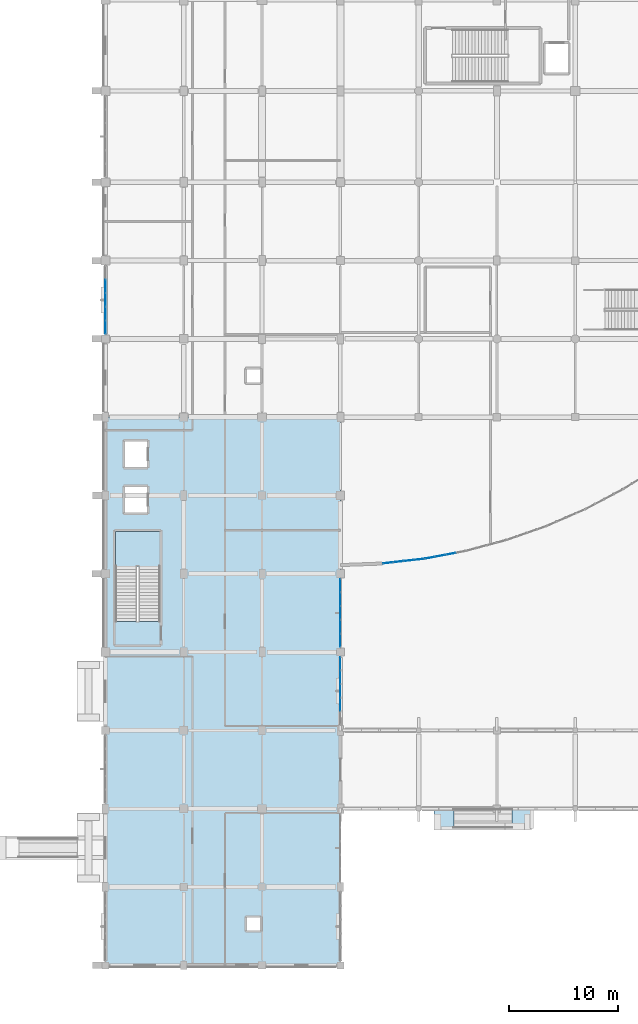
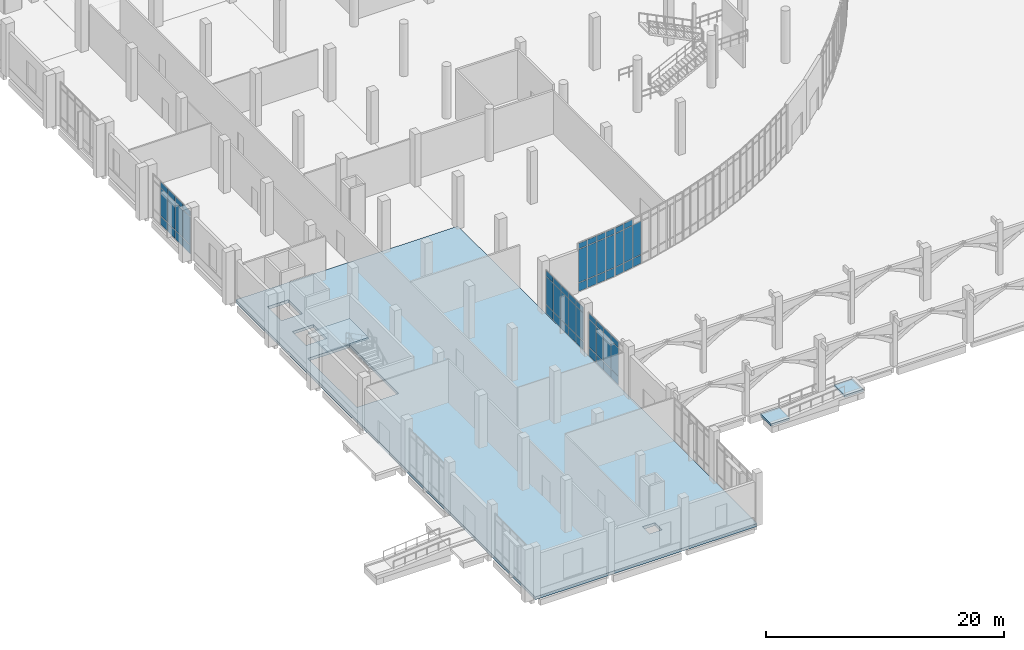
# One storey, part 75 of 110: 59 plates, 4 slabs, 7 elements without a shape of their own.
"""IFC4 building model written with IfcOpenShell, lengths in metres."""

from ifc_helpers import new_model, si_unit, direction, frame, origin, origin_2d, place, context, subcontext, project, spatial, polyline, rectangle, outline, extrude, material, layer, layer_set, type_object, element, aggregate, save


model = new_model("IFC4")

# Units and contexts
model_context = context("Model", 3, precision=1e-05, world=origin(), true_north=direction((0.0, 1.0)))
body_context = subcontext(model_context, "Body", "Model", "MODEL_VIEW")
ifc_project = project(units=[si_unit("LENGTHUNIT", "METRE"), si_unit("AREAUNIT", "SQUARE_METRE"), si_unit("VOLUMEUNIT", "CUBIC_METRE"), si_unit("PLANEANGLEUNIT", "RADIAN"), si_unit("MASSUNIT", "GRAM", prefix="KILO")], contexts=[model_context])

# Site, building, storey
site_placement = place(None, origin())
site = spatial("IfcSite", under=ifc_project, at=site_placement, CompositionType="ELEMENT")
building_placement = place(site_placement, origin())
building = spatial("IfcBuilding", under=site, at=building_placement, Name="Kalluvel Institute of Natural Sciences", CompositionType="ELEMENT")
storey_placement = place(building_placement, origin())
storey = spatial("IfcBuildingStorey", under=building, at=storey_placement, Name="L00", CompositionType="ELEMENT", Elevation=0.0)

# Curtain wall, plates
ifc_material_1 = material(Name="Aluminium AW-6063 T6", Category="aluminium")
curtain_wall_type_1 = type_object("IfcCurtainWallType", Name="CW-DRY-54", PredefinedType="USERDEFINED", material=ifc_material_1)
curtain_wall_1_placement = place(storey_placement, origin())
curtain_wall_1 = element("IfcCurtainWall", 1, at=curtain_wall_1_placement, inside=storey, type_object=curtain_wall_type_1, Name="L00 Gothic lancet curtain wall CWA-L00-X140-Y720", ObjectType="UNITISED LANCET FACADE", PredefinedType="USERDEFINED")
ifc_material_2 = material(Name="Solar-Control Low-E Laminated Glass", Category="glass")
ifc_layer_1 = layer(ifc_material_2, 0.028076171875)
ifc_layer_set_1 = layer_set([ifc_layer_1], Name="Solar-Control Low-E Laminated Glass")
plate_type_1 = type_object("IfcPlateType", Name="CWP-DGU-28", PredefinedType="CURTAIN_PANEL", material=ifc_layer_set_1)
plate_1_placement = place(storey_placement, frame((14.0, 72.672607421875, 0.06005859375), z_axis=(0.0, 0.0, 1.0), x_axis=(0.0, 1.0, 0.0)))
plate_1 = element("IfcPlate", 2, at=plate_1_placement, type_object=plate_type_1, Name="CW-04 panel 1.1", PredefinedType="CURTAIN_PANEL", context=body_context, shape_type="SweptSolid", body=[
    extrude(rectangle(XDim=1.175048828125, YDim=0.028076171875, at=origin_2d()), origin(), (0.0, 0.0, 1.0), 0.860107421875),
])
plate_2_placement = place(storey_placement, frame((14.0, 72.672607421875, 0.97998046875), z_axis=(0.0, 0.0, 1.0), x_axis=(0.0, 1.0, 0.0)))
plate_2 = element("IfcPlate", 3, at=plate_2_placement, type_object=plate_type_1, Name="CW-04 panel 1.2", PredefinedType="CURTAIN_PANEL", context=body_context, shape_type="SweptSolid", body=[
    extrude(rectangle(XDim=1.175048828125, YDim=0.028076171875, at=origin_2d()), origin(), (0.0, 0.0, 1.0), 2.860107421875),
])
plate_3_placement = place(storey_placement, frame((14.0, 72.672607421875, 3.89990234375), z_axis=(0.0, 0.0, 1.0), x_axis=(0.0, 1.0, 0.0)))
plate_3 = element("IfcPlate", 4, at=plate_3_placement, type_object=plate_type_1, Name="CW-04 panel 1.3", PredefinedType="CURTAIN_PANEL", context=body_context, shape_type="SweptSolid", body=[
    extrude(rectangle(XDim=1.175048828125, YDim=0.028076171875, at=origin_2d()), origin(), (0.0, 0.0, 1.0), 0.56005859375),
])
plate_4_placement = place(storey_placement, frame((14.0, 73.922607421875, 0.06005859375), z_axis=(0.0, 0.0, 1.0), x_axis=(0.0, 1.0, 0.0)))
plate_4 = element("IfcPlate", 5, at=plate_4_placement, type_object=plate_type_1, Name="CW-04 panel 2.1", PredefinedType="CURTAIN_PANEL", context=body_context, shape_type="SweptSolid", body=[
    extrude(rectangle(XDim=1.205078125, YDim=0.028076171875, at=origin_2d()), origin(), (0.0, 0.0, 1.0), 0.860107421875),
])
plate_5_placement = place(storey_placement, frame((14.0, 73.922607421875, 0.97998046875), z_axis=(0.0, 0.0, 1.0), x_axis=(0.0, 1.0, 0.0)))
plate_5 = element("IfcPlate", 6, at=plate_5_placement, type_object=plate_type_1, Name="CW-04 panel 2.2", PredefinedType="CURTAIN_PANEL", context=body_context, shape_type="SweptSolid", body=[
    extrude(rectangle(XDim=1.205078125, YDim=0.028076171875, at=origin_2d()), origin(), (0.0, 0.0, 1.0), 2.860107421875),
])
plate_6_placement = place(storey_placement, frame((14.0, 73.922607421875, 3.89990234375), z_axis=(0.0, 0.0, 1.0), x_axis=(0.0, 1.0, 0.0)))
plate_6 = element("IfcPlate", 7, at=plate_6_placement, type_object=plate_type_1, Name="CW-04 panel 2.3", PredefinedType="CURTAIN_PANEL", context=body_context, shape_type="SweptSolid", body=[
    extrude(rectangle(XDim=1.205078125, YDim=0.028076171875, at=origin_2d()), origin(), (0.0, 0.0, 1.0), 0.56005859375),
])
plate_7_placement = place(storey_placement, frame((14.0, 75.1875, 0.06005859375), z_axis=(0.0, 0.0, 1.0), x_axis=(0.0, 1.0, 0.0)))
plate_7 = element("IfcPlate", 8, at=plate_7_placement, type_object=plate_type_1, Name="CW-04 panel 3.1", PredefinedType="CURTAIN_PANEL", context=body_context, shape_type="SweptSolid", body=[
    extrude(rectangle(XDim=1.205078125, YDim=0.028076171875, at=origin_2d()), origin(), (0.0, 0.0, 1.0), 0.860107421875),
])
plate_8_placement = place(storey_placement, frame((14.0, 75.1875, 0.97998046875), z_axis=(0.0, 0.0, 1.0), x_axis=(0.0, 1.0, 0.0)))
plate_8 = element("IfcPlate", 9, at=plate_8_placement, type_object=plate_type_1, Name="CW-04 panel 3.2", PredefinedType="CURTAIN_PANEL", context=body_context, shape_type="SweptSolid", body=[
    extrude(rectangle(XDim=1.205078125, YDim=0.028076171875, at=origin_2d()), origin(), (0.0, 0.0, 1.0), 2.860107421875),
])
plate_9_placement = place(storey_placement, frame((14.0, 75.1875, 3.89990234375), z_axis=(0.0, 0.0, 1.0), x_axis=(0.0, 1.0, 0.0)))
plate_9 = element("IfcPlate", 10, at=plate_9_placement, type_object=plate_type_1, Name="CW-04 panel 3.3", PredefinedType="CURTAIN_PANEL", context=body_context, shape_type="SweptSolid", body=[
    extrude(rectangle(XDim=1.205078125, YDim=0.028076171875, at=origin_2d()), origin(), (0.0, 0.0, 1.0), 0.56005859375),
])
plate_10_placement = place(storey_placement, frame((14.0, 76.452392578125, 0.06005859375), z_axis=(0.0, 0.0, 1.0), x_axis=(0.0, 1.0, 0.0)))
plate_10 = element("IfcPlate", 11, at=plate_10_placement, type_object=plate_type_1, Name="CW-04 panel 4.1", PredefinedType="CURTAIN_PANEL", context=body_context, shape_type="SweptSolid", body=[
    extrude(rectangle(XDim=1.205078125, YDim=0.028076171875, at=origin_2d()), origin(), (0.0, 0.0, 1.0), 0.860107421875),
])
plate_11_placement = place(storey_placement, frame((14.0, 76.452392578125, 0.97998046875), z_axis=(0.0, 0.0, 1.0), x_axis=(0.0, 1.0, 0.0)))
plate_11 = element("IfcPlate", 12, at=plate_11_placement, type_object=plate_type_1, Name="CW-04 panel 4.2", PredefinedType="CURTAIN_PANEL", context=body_context, shape_type="SweptSolid", body=[
    extrude(rectangle(XDim=1.205078125, YDim=0.028076171875, at=origin_2d()), origin(), (0.0, 0.0, 1.0), 2.860107421875),
])
plate_12_placement = place(storey_placement, frame((14.0, 76.452392578125, 3.89990234375), z_axis=(0.0, 0.0, 1.0), x_axis=(0.0, 1.0, 0.0)))
plate_12 = element("IfcPlate", 13, at=plate_12_placement, type_object=plate_type_1, Name="CW-04 panel 4.3", PredefinedType="CURTAIN_PANEL", context=body_context, shape_type="SweptSolid", body=[
    extrude(rectangle(XDim=1.205078125, YDim=0.028076171875, at=origin_2d()), origin(), (0.0, 0.0, 1.0), 0.56005859375),
])
aggregate(curtain_wall_1, [plate_1, plate_2, plate_3, plate_4, plate_5, plate_6, plate_7, plate_8, plate_9, plate_10, plate_11, plate_12])

curtain_wall_2_placement = place(storey_placement, origin())
curtain_wall_2 = element("IfcCurtainWall", 14, at=curtain_wall_2_placement, inside=storey, type_object=curtain_wall_type_1, Name="L00 Gothic lancet curtain wall CWA-L00-X356-Y361", ObjectType="UNITISED LANCET FACADE", PredefinedType="USERDEFINED")
plate_13_placement = place(storey_placement, frame((35.60009765625, 37.982421875, 0.06005859375), z_axis=(0.0, 0.0, 1.0), x_axis=(0.0, 1.0, 0.0)))
plate_13 = element("IfcPlate", 15, at=plate_13_placement, type_object=plate_type_1, Name="CW-04 panel 2.1", PredefinedType="CURTAIN_PANEL", context=body_context, shape_type="SweptSolid", body=[
    extrude(rectangle(XDim=1.195068359375, YDim=0.028076171875, at=origin_2d()), origin(), (0.0, 0.0, 1.0), 0.860107421875),
])
plate_14_placement = place(storey_placement, frame((35.60009765625, 37.982421875, 0.97998046875), z_axis=(0.0, 0.0, 1.0), x_axis=(0.0, 1.0, 0.0)))
plate_14 = element("IfcPlate", 16, at=plate_14_placement, type_object=plate_type_1, Name="CW-04 panel 2.2", PredefinedType="CURTAIN_PANEL", context=body_context, shape_type="SweptSolid", body=[
    extrude(rectangle(XDim=1.195068359375, YDim=0.028076171875, at=origin_2d()), origin(), (0.0, 0.0, 1.0), 2.860107421875),
])
plate_15_placement = place(storey_placement, frame((35.60009765625, 37.982421875, 3.89990234375), z_axis=(0.0, 0.0, 1.0), x_axis=(0.0, 1.0, 0.0)))
plate_15 = element("IfcPlate", 17, at=plate_15_placement, type_object=plate_type_1, Name="CW-04 panel 2.3", PredefinedType="CURTAIN_PANEL", context=body_context, shape_type="SweptSolid", body=[
    extrude(rectangle(XDim=1.195068359375, YDim=0.028076171875, at=origin_2d()), origin(), (0.0, 0.0, 1.0), 0.56005859375),
])
plate_16_placement = place(storey_placement, frame((35.60009765625, 39.237548828125, 0.06005859375), z_axis=(0.0, 0.0, 1.0), x_axis=(0.0, 1.0, 0.0)))
plate_16 = element("IfcPlate", 18, at=plate_16_placement, type_object=plate_type_1, Name="CW-04 panel 3.1", PredefinedType="CURTAIN_PANEL", context=body_context, shape_type="SweptSolid", body=[
    extrude(rectangle(XDim=1.195068359375, YDim=0.028076171875, at=origin_2d()), origin(), (0.0, 0.0, 1.0), 0.860107421875),
])
plate_17_placement = place(storey_placement, frame((35.60009765625, 39.237548828125, 0.97998046875), z_axis=(0.0, 0.0, 1.0), x_axis=(0.0, 1.0, 0.0)))
plate_17 = element("IfcPlate", 19, at=plate_17_placement, type_object=plate_type_1, Name="CW-04 panel 3.2", PredefinedType="CURTAIN_PANEL", context=body_context, shape_type="SweptSolid", body=[
    extrude(rectangle(XDim=1.195068359375, YDim=0.028076171875, at=origin_2d()), origin(), (0.0, 0.0, 1.0), 2.860107421875),
])
plate_18_placement = place(storey_placement, frame((35.60009765625, 39.237548828125, 3.89990234375), z_axis=(0.0, 0.0, 1.0), x_axis=(0.0, 1.0, 0.0)))
plate_18 = element("IfcPlate", 20, at=plate_18_placement, type_object=plate_type_1, Name="CW-04 panel 3.3", PredefinedType="CURTAIN_PANEL", context=body_context, shape_type="SweptSolid", body=[
    extrude(rectangle(XDim=1.195068359375, YDim=0.028076171875, at=origin_2d()), origin(), (0.0, 0.0, 1.0), 0.56005859375),
])
plate_19_placement = place(storey_placement, frame((35.60009765625, 40.492431640625, 0.06005859375), z_axis=(0.0, 0.0, 1.0), x_axis=(0.0, 1.0, 0.0)))
plate_19 = element("IfcPlate", 21, at=plate_19_placement, type_object=plate_type_1, Name="CW-04 panel 4.1", PredefinedType="CURTAIN_PANEL", context=body_context, shape_type="SweptSolid", body=[
    extrude(rectangle(XDim=1.195068359375, YDim=0.028076171875, at=origin_2d()), origin(), (0.0, 0.0, 1.0), 0.860107421875),
])
plate_20_placement = place(storey_placement, frame((35.60009765625, 40.492431640625, 0.97998046875), z_axis=(0.0, 0.0, 1.0), x_axis=(0.0, 1.0, 0.0)))
plate_20 = element("IfcPlate", 22, at=plate_20_placement, type_object=plate_type_1, Name="CW-04 panel 4.2", PredefinedType="CURTAIN_PANEL", context=body_context, shape_type="SweptSolid", body=[
    extrude(rectangle(XDim=1.195068359375, YDim=0.028076171875, at=origin_2d()), origin(), (0.0, 0.0, 1.0), 2.860107421875),
])
plate_21_placement = place(storey_placement, frame((35.60009765625, 40.492431640625, 3.89990234375), z_axis=(0.0, 0.0, 1.0), x_axis=(0.0, 1.0, 0.0)))
plate_21 = element("IfcPlate", 23, at=plate_21_placement, type_object=plate_type_1, Name="CW-04 panel 4.3", PredefinedType="CURTAIN_PANEL", context=body_context, shape_type="SweptSolid", body=[
    extrude(rectangle(XDim=1.195068359375, YDim=0.028076171875, at=origin_2d()), origin(), (0.0, 0.0, 1.0), 0.56005859375),
])
plate_22_placement = place(storey_placement, frame((35.60009765625, 41.732421875, 0.06005859375), z_axis=(0.0, 0.0, 1.0), x_axis=(0.0, 1.0, 0.0)))
plate_22 = element("IfcPlate", 24, at=plate_22_placement, type_object=plate_type_1, Name="CW-04 panel 5.1", PredefinedType="CURTAIN_PANEL", context=body_context, shape_type="SweptSolid", body=[
    extrude(rectangle(XDim=1.1650390625, YDim=0.028076171875, at=origin_2d()), origin(), (0.0, 0.0, 1.0), 0.860107421875),
])
plate_23_placement = place(storey_placement, frame((35.60009765625, 41.732421875, 0.97998046875), z_axis=(0.0, 0.0, 1.0), x_axis=(0.0, 1.0, 0.0)))
plate_23 = element("IfcPlate", 25, at=plate_23_placement, type_object=plate_type_1, Name="CW-04 panel 5.2", PredefinedType="CURTAIN_PANEL", context=body_context, shape_type="SweptSolid", body=[
    extrude(rectangle(XDim=1.1650390625, YDim=0.028076171875, at=origin_2d()), origin(), (0.0, 0.0, 1.0), 2.860107421875),
])
plate_24_placement = place(storey_placement, frame((35.60009765625, 41.732421875, 3.89990234375), z_axis=(0.0, 0.0, 1.0), x_axis=(0.0, 1.0, 0.0)))
plate_24 = element("IfcPlate", 26, at=plate_24_placement, type_object=plate_type_1, Name="CW-04 panel 5.3", PredefinedType="CURTAIN_PANEL", context=body_context, shape_type="SweptSolid", body=[
    extrude(rectangle(XDim=1.1650390625, YDim=0.028076171875, at=origin_2d()), origin(), (0.0, 0.0, 1.0), 0.56005859375),
])
aggregate(curtain_wall_2, [plate_13, plate_14, plate_15, plate_16, plate_17, plate_18, plate_19, plate_20, plate_21, plate_22, plate_23, plate_24])

curtain_wall_3_placement = place(storey_placement, origin())
curtain_wall_3 = element("IfcCurtainWall", 27, at=curtain_wall_3_placement, inside=storey, type_object=curtain_wall_type_1, Name="L00 Gothic lancet curtain wall CWA-L00-X356-Y432", ObjectType="UNITISED LANCET FACADE", PredefinedType="USERDEFINED")
plate_25_placement = place(storey_placement, frame((35.60009765625, 43.875, 0.06005859375), z_axis=(0.0, 0.0, 1.0), x_axis=(0.0, 1.0, 0.0)))
plate_25 = element("IfcPlate", 28, at=plate_25_placement, type_object=plate_type_1, Name="CW-04 panel 1.1", PredefinedType="CURTAIN_PANEL", context=body_context, shape_type="SweptSolid", body=[
    extrude(rectangle(XDim=1.179931640625, YDim=0.028076171875, at=origin_2d()), origin(), (0.0, 0.0, 1.0), 0.860107421875),
])
plate_26_placement = place(storey_placement, frame((35.60009765625, 43.875, 0.97998046875), z_axis=(0.0, 0.0, 1.0), x_axis=(0.0, 1.0, 0.0)))
plate_26 = element("IfcPlate", 29, at=plate_26_placement, type_object=plate_type_1, Name="CW-04 panel 1.2", PredefinedType="CURTAIN_PANEL", context=body_context, shape_type="SweptSolid", body=[
    extrude(rectangle(XDim=1.179931640625, YDim=0.028076171875, at=origin_2d()), origin(), (0.0, 0.0, 1.0), 2.860107421875),
])
plate_27_placement = place(storey_placement, frame((35.60009765625, 43.875, 3.89990234375), z_axis=(0.0, 0.0, 1.0), x_axis=(0.0, 1.0, 0.0)))
plate_27 = element("IfcPlate", 30, at=plate_27_placement, type_object=plate_type_1, Name="CW-04 panel 1.3", PredefinedType="CURTAIN_PANEL", context=body_context, shape_type="SweptSolid", body=[
    extrude(rectangle(XDim=1.179931640625, YDim=0.028076171875, at=origin_2d()), origin(), (0.0, 0.0, 1.0), 0.56005859375),
])
plate_28_placement = place(storey_placement, frame((35.60009765625, 45.1298828125, 0.06005859375), z_axis=(0.0, 0.0, 1.0), x_axis=(0.0, 1.0, 0.0)))
plate_28 = element("IfcPlate", 31, at=plate_28_placement, type_object=plate_type_1, Name="CW-04 panel 2.1", PredefinedType="CURTAIN_PANEL", context=body_context, shape_type="SweptSolid", body=[
    extrude(rectangle(XDim=1.2099609375, YDim=0.028076171875, at=origin_2d()), origin(), (0.0, 0.0, 1.0), 0.860107421875),
])
plate_29_placement = place(storey_placement, frame((35.60009765625, 45.1298828125, 0.97998046875), z_axis=(0.0, 0.0, 1.0), x_axis=(0.0, 1.0, 0.0)))
plate_29 = element("IfcPlate", 32, at=plate_29_placement, type_object=plate_type_1, Name="CW-04 panel 2.2", PredefinedType="CURTAIN_PANEL", context=body_context, shape_type="SweptSolid", body=[
    extrude(rectangle(XDim=1.2099609375, YDim=0.028076171875, at=origin_2d()), origin(), (0.0, 0.0, 1.0), 2.860107421875),
])
plate_30_placement = place(storey_placement, frame((35.60009765625, 45.1298828125, 3.89990234375), z_axis=(0.0, 0.0, 1.0), x_axis=(0.0, 1.0, 0.0)))
plate_30 = element("IfcPlate", 33, at=plate_30_placement, type_object=plate_type_1, Name="CW-04 panel 2.3", PredefinedType="CURTAIN_PANEL", context=body_context, shape_type="SweptSolid", body=[
    extrude(rectangle(XDim=1.2099609375, YDim=0.028076171875, at=origin_2d()), origin(), (0.0, 0.0, 1.0), 0.56005859375),
])
plate_31_placement = place(storey_placement, frame((35.60009765625, 46.39990234375, 0.06005859375), z_axis=(0.0, 0.0, 1.0), x_axis=(0.0, 1.0, 0.0)))
plate_31 = element("IfcPlate", 34, at=plate_31_placement, type_object=plate_type_1, Name="CW-04 panel 3.1", PredefinedType="CURTAIN_PANEL", context=body_context, shape_type="SweptSolid", body=[
    extrude(rectangle(XDim=1.2099609375, YDim=0.028076171875, at=origin_2d()), origin(), (0.0, 0.0, 1.0), 0.860107421875),
])
plate_32_placement = place(storey_placement, frame((35.60009765625, 46.39990234375, 0.97998046875), z_axis=(0.0, 0.0, 1.0), x_axis=(0.0, 1.0, 0.0)))
plate_32 = element("IfcPlate", 35, at=plate_32_placement, type_object=plate_type_1, Name="CW-04 panel 3.2", PredefinedType="CURTAIN_PANEL", context=body_context, shape_type="SweptSolid", body=[
    extrude(rectangle(XDim=1.2099609375, YDim=0.028076171875, at=origin_2d()), origin(), (0.0, 0.0, 1.0), 2.860107421875),
])
plate_33_placement = place(storey_placement, frame((35.60009765625, 46.39990234375, 3.89990234375), z_axis=(0.0, 0.0, 1.0), x_axis=(0.0, 1.0, 0.0)))
plate_33 = element("IfcPlate", 36, at=plate_33_placement, type_object=plate_type_1, Name="CW-04 panel 3.3", PredefinedType="CURTAIN_PANEL", context=body_context, shape_type="SweptSolid", body=[
    extrude(rectangle(XDim=1.2099609375, YDim=0.028076171875, at=origin_2d()), origin(), (0.0, 0.0, 1.0), 0.56005859375),
])
plate_34_placement = place(storey_placement, frame((35.60009765625, 47.669921875, 0.06005859375), z_axis=(0.0, 0.0, 1.0), x_axis=(0.0, 1.0, 0.0)))
plate_34 = element("IfcPlate", 37, at=plate_34_placement, type_object=plate_type_1, Name="CW-04 panel 4.1", PredefinedType="CURTAIN_PANEL", context=body_context, shape_type="SweptSolid", body=[
    extrude(rectangle(XDim=1.2099609375, YDim=0.028076171875, at=origin_2d()), origin(), (0.0, 0.0, 1.0), 0.860107421875),
])
plate_35_placement = place(storey_placement, frame((35.60009765625, 47.669921875, 0.97998046875), z_axis=(0.0, 0.0, 1.0), x_axis=(0.0, 1.0, 0.0)))
plate_35 = element("IfcPlate", 38, at=plate_35_placement, type_object=plate_type_1, Name="CW-04 panel 4.2", PredefinedType="CURTAIN_PANEL", context=body_context, shape_type="SweptSolid", body=[
    extrude(rectangle(XDim=1.2099609375, YDim=0.028076171875, at=origin_2d()), origin(), (0.0, 0.0, 1.0), 2.860107421875),
])
plate_36_placement = place(storey_placement, frame((35.60009765625, 47.669921875, 3.89990234375), z_axis=(0.0, 0.0, 1.0), x_axis=(0.0, 1.0, 0.0)))
plate_36 = element("IfcPlate", 39, at=plate_36_placement, type_object=plate_type_1, Name="CW-04 panel 4.3", PredefinedType="CURTAIN_PANEL", context=body_context, shape_type="SweptSolid", body=[
    extrude(rectangle(XDim=1.2099609375, YDim=0.028076171875, at=origin_2d()), origin(), (0.0, 0.0, 1.0), 0.56005859375),
])
plate_37_placement = place(storey_placement, frame((35.60009765625, 48.925048828125, 0.06005859375), z_axis=(0.0, 0.0, 1.0), x_axis=(0.0, 1.0, 0.0)))
plate_37 = element("IfcPlate", 40, at=plate_37_placement, type_object=plate_type_1, Name="CW-04 panel 5.1", PredefinedType="CURTAIN_PANEL", context=body_context, shape_type="SweptSolid", body=[
    extrude(rectangle(XDim=1.179931640625, YDim=0.028076171875, at=origin_2d()), origin(), (0.0, 0.0, 1.0), 0.860107421875),
])
plate_38_placement = place(storey_placement, frame((35.60009765625, 48.925048828125, 0.97998046875), z_axis=(0.0, 0.0, 1.0), x_axis=(0.0, 1.0, 0.0)))
plate_38 = element("IfcPlate", 41, at=plate_38_placement, type_object=plate_type_1, Name="CW-04 panel 5.2", PredefinedType="CURTAIN_PANEL", context=body_context, shape_type="SweptSolid", body=[
    extrude(rectangle(XDim=1.179931640625, YDim=0.028076171875, at=origin_2d()), origin(), (0.0, 0.0, 1.0), 2.860107421875),
])
plate_39_placement = place(storey_placement, frame((35.60009765625, 48.925048828125, 3.89990234375), z_axis=(0.0, 0.0, 1.0), x_axis=(0.0, 1.0, 0.0)))
plate_39 = element("IfcPlate", 42, at=plate_39_placement, type_object=plate_type_1, Name="CW-04 panel 5.3", PredefinedType="CURTAIN_PANEL", context=body_context, shape_type="SweptSolid", body=[
    extrude(rectangle(XDim=1.179931640625, YDim=0.028076171875, at=origin_2d()), origin(), (0.0, 0.0, 1.0), 0.56005859375),
])
aggregate(curtain_wall_3, [plate_25, plate_26, plate_27, plate_28, plate_29, plate_30, plate_31, plate_32, plate_33, plate_34, plate_35, plate_36, plate_37, plate_38, plate_39])

curtain_wall_type_2 = type_object("IfcCurtainWallType", Name="CW-ATR-L00", PredefinedType="USERDEFINED", material=ifc_material_1)
curtain_wall_4_placement = place(storey_placement, origin())
curtain_wall_4 = element("IfcCurtainWall", 43, at=curtain_wall_4_placement, inside=storey, type_object=curtain_wall_type_2, Name="L00 Gothic lancet curtain wall CWA-L00-X395-Y509", ObjectType="UNITISED LANCET FACADE", PredefinedType="USERDEFINED")
ifc_layer_2 = layer(ifc_material_2, 0.035888671875)
ifc_layer_set_2 = layer_set([ifc_layer_2], Name="Solar-Control Low-E Laminated Glass")
plate_type_2 = type_object("IfcPlateType", Name="CWP-DGU-36", PredefinedType="CURTAIN_PANEL", material=ifc_layer_set_2)
plate_40_placement = place(storey_placement, frame((39.98388671875, 51.00146484375, 0.06005859375), z_axis=(0.0, 0.0, 1.0), x_axis=(0.993711945931, 0.111966818808, 0.0)))
plate_40 = element("IfcPlate", 44, at=plate_40_placement, type_object=plate_type_2, Name="CW-06 panel 1.1", PredefinedType="CURTAIN_PANEL", context=body_context, shape_type="SweptSolid", body=[
    extrude(rectangle(XDim=0.882080078125, YDim=0.035888671875, at=origin_2d()), origin(), (0.0, 0.0, 1.0), 0.860107421875),
])
plate_41_placement = place(storey_placement, frame((39.98388671875, 51.00146484375, 0.97998046875), z_axis=(0.0, 0.0, 1.0), x_axis=(0.993711945931, 0.111966818808, 0.0)))
plate_41 = element("IfcPlate", 45, at=plate_41_placement, type_object=plate_type_2, Name="CW-06 panel 1.2", PredefinedType="CURTAIN_PANEL", context=body_context, shape_type="SweptSolid", body=[
    extrude(rectangle(XDim=0.882080078125, YDim=0.035888671875, at=origin_2d()), origin(), (0.0, 0.0, 1.0), 3.389892578125),
])
plate_42_placement = place(storey_placement, frame((39.98388671875, 51.00146484375, 4.429931640625), z_axis=(0.0, 0.0, 1.0), x_axis=(0.993711945931, 0.111966818808, 0.0)))
plate_42 = element("IfcPlate", 46, at=plate_42_placement, type_object=plate_type_2, Name="CW-06 panel 1.3", PredefinedType="CURTAIN_PANEL", context=body_context, shape_type="SweptSolid", body=[
    extrude(rectangle(XDim=0.882080078125, YDim=0.035888671875, at=origin_2d()), origin(), (0.0, 0.0, 1.0), 0.56005859375),
])
plate_43_placement = place(storey_placement, frame((40.93505859375, 51.108642578125, 0.06005859375), z_axis=(0.0, 0.0, 1.0), x_axis=(0.993711945931, 0.111966818808, 0.0)))
plate_43 = element("IfcPlate", 47, at=plate_43_placement, type_object=plate_type_2, Name="CW-06 panel 2.1", PredefinedType="CURTAIN_PANEL", context=body_context, shape_type="SweptSolid", body=[
    extrude(rectangle(XDim=0.912109375, YDim=0.035888671875, at=origin_2d()), origin(), (0.0, 0.0, 1.0), 0.860107421875),
])
plate_44_placement = place(storey_placement, frame((40.93505859375, 51.108642578125, 0.97998046875), z_axis=(0.0, 0.0, 1.0), x_axis=(0.993711945931, 0.111966818808, 0.0)))
plate_44 = element("IfcPlate", 48, at=plate_44_placement, type_object=plate_type_2, Name="CW-06 panel 2.2", PredefinedType="CURTAIN_PANEL", context=body_context, shape_type="SweptSolid", body=[
    extrude(rectangle(XDim=0.912109375, YDim=0.035888671875, at=origin_2d()), origin(), (0.0, 0.0, 1.0), 3.389892578125),
])
plate_45_placement = place(storey_placement, frame((40.93505859375, 51.108642578125, 4.429931640625), z_axis=(0.0, 0.0, 1.0), x_axis=(0.993711945931, 0.111966818808, 0.0)))
plate_45 = element("IfcPlate", 49, at=plate_45_placement, type_object=plate_type_2, Name="CW-06 panel 2.3", PredefinedType="CURTAIN_PANEL", context=body_context, shape_type="SweptSolid", body=[
    extrude(rectangle(XDim=0.912109375, YDim=0.035888671875, at=origin_2d()), origin(), (0.0, 0.0, 1.0), 0.56005859375),
])
plate_46_placement = place(storey_placement, frame((41.901123046875, 51.217529296875, 0.06005859375), z_axis=(0.0, 0.0, 1.0), x_axis=(0.993711945931, 0.111966818808, 0.0)))
plate_46 = element("IfcPlate", 50, at=plate_46_placement, type_object=plate_type_2, Name="CW-06 panel 3.1", PredefinedType="CURTAIN_PANEL", context=body_context, shape_type="SweptSolid", body=[
    extrude(rectangle(XDim=0.912109375, YDim=0.035888671875, at=origin_2d()), origin(), (0.0, 0.0, 1.0), 0.860107421875),
])
plate_47_placement = place(storey_placement, frame((41.901123046875, 51.217529296875, 0.97998046875), z_axis=(0.0, 0.0, 1.0), x_axis=(0.993711945931, 0.111966818808, 0.0)))
plate_47 = element("IfcPlate", 51, at=plate_47_placement, type_object=plate_type_2, Name="CW-06 panel 3.2", PredefinedType="CURTAIN_PANEL", context=body_context, shape_type="SweptSolid", body=[
    extrude(rectangle(XDim=0.912109375, YDim=0.035888671875, at=origin_2d()), origin(), (0.0, 0.0, 1.0), 3.389892578125),
])
plate_48_placement = place(storey_placement, frame((41.901123046875, 51.217529296875, 4.429931640625), z_axis=(0.0, 0.0, 1.0), x_axis=(0.993711945931, 0.111966818808, 0.0)))
plate_48 = element("IfcPlate", 52, at=plate_48_placement, type_object=plate_type_2, Name="CW-06 panel 3.3", PredefinedType="CURTAIN_PANEL", context=body_context, shape_type="SweptSolid", body=[
    extrude(rectangle(XDim=0.912109375, YDim=0.035888671875, at=origin_2d()), origin(), (0.0, 0.0, 1.0), 0.56005859375),
])
plate_49_placement = place(storey_placement, frame((42.852294921875, 51.32470703125, 0.06005859375), z_axis=(0.0, 0.0, 1.0), x_axis=(0.993711945931, 0.111966818808, 0.0)))
plate_49 = element("IfcPlate", 53, at=plate_49_placement, type_object=plate_type_2, Name="CW-06 panel 4.1", PredefinedType="CURTAIN_PANEL", context=body_context, shape_type="SweptSolid", body=[
    extrude(rectangle(XDim=0.882080078125, YDim=0.035888671875, at=origin_2d()), origin(), (0.0, 0.0, 1.0), 0.860107421875),
])
plate_50_placement = place(storey_placement, frame((42.852294921875, 51.32470703125, 0.97998046875), z_axis=(0.0, 0.0, 1.0), x_axis=(0.993711945931, 0.111966818808, 0.0)))
plate_50 = element("IfcPlate", 54, at=plate_50_placement, type_object=plate_type_2, Name="CW-06 panel 4.2", PredefinedType="CURTAIN_PANEL", context=body_context, shape_type="SweptSolid", body=[
    extrude(rectangle(XDim=0.882080078125, YDim=0.035888671875, at=origin_2d()), origin(), (0.0, 0.0, 1.0), 3.389892578125),
])
plate_51_placement = place(storey_placement, frame((42.852294921875, 51.32470703125, 4.429931640625), z_axis=(0.0, 0.0, 1.0), x_axis=(0.993711945931, 0.111966818808, 0.0)))
plate_51 = element("IfcPlate", 55, at=plate_51_placement, type_object=plate_type_2, Name="CW-06 panel 4.3", PredefinedType="CURTAIN_PANEL", context=body_context, shape_type="SweptSolid", body=[
    extrude(rectangle(XDim=0.882080078125, YDim=0.035888671875, at=origin_2d()), origin(), (0.0, 0.0, 1.0), 0.56005859375),
])
aggregate(curtain_wall_4, [plate_40, plate_41, plate_42, plate_43, plate_44, plate_45, plate_46, plate_47, plate_48, plate_49, plate_50, plate_51])

curtain_wall_5_placement = place(storey_placement, origin())
curtain_wall_5 = element("IfcCurtainWall", 56, at=curtain_wall_5_placement, inside=storey, type_object=curtain_wall_type_2, Name="L00 Gothic lancet curtain wall CWA-L00-X434-Y514", ObjectType="UNITISED LANCET FACADE", PredefinedType="USERDEFINED")
plate_52_placement = place(storey_placement, frame((43.842529296875, 51.473876953125, 0.06005859375), z_axis=(0.0, 0.0, 1.0), x_axis=(0.982568976212, 0.185898378113, 0.0)))
plate_52 = element("IfcPlate", 57, at=plate_52_placement, type_object=plate_type_2, Name="CW-06 panel 1.1", PredefinedType="CURTAIN_PANEL", context=body_context, shape_type="SweptSolid", body=[
    extrude(rectangle(XDim=0.882080078125, YDim=0.035888671875, at=origin_2d()), origin(), (0.0, 0.0, 1.0), 0.860107421875),
])
plate_53_placement = place(storey_placement, frame((43.842529296875, 51.473876953125, 0.97998046875), z_axis=(0.0, 0.0, 1.0), x_axis=(0.982568976212, 0.185898378113, 0.0)))
plate_53 = element("IfcPlate", 58, at=plate_53_placement, type_object=plate_type_2, Name="CW-06 panel 1.2", PredefinedType="CURTAIN_PANEL", context=body_context, shape_type="SweptSolid", body=[
    extrude(rectangle(XDim=0.882080078125, YDim=0.035888671875, at=origin_2d()), origin(), (0.0, 0.0, 1.0), 3.389892578125),
])
plate_54_placement = place(storey_placement, frame((43.842529296875, 51.473876953125, 4.429931640625), z_axis=(0.0, 0.0, 1.0), x_axis=(0.982568976212, 0.185898378113, 0.0)))
plate_54 = element("IfcPlate", 59, at=plate_54_placement, type_object=plate_type_2, Name="CW-06 panel 1.3", PredefinedType="CURTAIN_PANEL", context=body_context, shape_type="SweptSolid", body=[
    extrude(rectangle(XDim=0.882080078125, YDim=0.035888671875, at=origin_2d()), origin(), (0.0, 0.0, 1.0), 0.56005859375),
])
plate_55_placement = place(storey_placement, frame((44.782958984375, 51.65185546875, 0.06005859375), z_axis=(0.0, 0.0, 1.0), x_axis=(0.982568976212, 0.185898378113, 0.0)))
plate_55 = element("IfcPlate", 60, at=plate_55_placement, type_object=plate_type_2, Name="CW-06 panel 2.1", PredefinedType="CURTAIN_PANEL", context=body_context, shape_type="SweptSolid", body=[
    extrude(rectangle(XDim=0.912109375, YDim=0.035888671875, at=origin_2d()), origin(), (0.0, 0.0, 1.0), 0.860107421875),
])
plate_56_placement = place(storey_placement, frame((44.782958984375, 51.65185546875, 0.97998046875), z_axis=(0.0, 0.0, 1.0), x_axis=(0.982568976212, 0.185898378113, 0.0)))
plate_56 = element("IfcPlate", 61, at=plate_56_placement, type_object=plate_type_2, Name="CW-06 panel 2.2", PredefinedType="CURTAIN_PANEL", context=body_context, shape_type="SweptSolid", body=[
    extrude(rectangle(XDim=0.912109375, YDim=0.035888671875, at=origin_2d()), origin(), (0.0, 0.0, 1.0), 3.389892578125),
])
plate_57_placement = place(storey_placement, frame((44.782958984375, 51.65185546875, 4.429931640625), z_axis=(0.0, 0.0, 1.0), x_axis=(0.982568976212, 0.185898378113, 0.0)))
plate_57 = element("IfcPlate", 62, at=plate_57_placement, type_object=plate_type_2, Name="CW-06 panel 2.3", PredefinedType="CURTAIN_PANEL", context=body_context, shape_type="SweptSolid", body=[
    extrude(rectangle(XDim=0.912109375, YDim=0.035888671875, at=origin_2d()), origin(), (0.0, 0.0, 1.0), 0.56005859375),
])
plate_58_placement = place(storey_placement, frame((45.73828125, 51.83251953125, 0.06005859375), z_axis=(0.0, 0.0, 1.0), x_axis=(0.982568976212, 0.185898378113, 0.0)))
plate_58 = element("IfcPlate", 63, at=plate_58_placement, type_object=plate_type_2, Name="CW-06 panel 3.1", PredefinedType="CURTAIN_PANEL", context=body_context, shape_type="SweptSolid", body=[
    extrude(rectangle(XDim=0.912109375, YDim=0.035888671875, at=origin_2d()), origin(), (0.0, 0.0, 1.0), 0.860107421875),
])
plate_59_placement = place(storey_placement, frame((45.73828125, 51.83251953125, 0.97998046875), z_axis=(0.0, 0.0, 1.0), x_axis=(0.982568976212, 0.185898378113, 0.0)))
plate_59 = element("IfcPlate", 64, at=plate_59_placement, type_object=plate_type_2, Name="CW-06 panel 3.2", PredefinedType="CURTAIN_PANEL", context=body_context, shape_type="SweptSolid", body=[
    extrude(rectangle(XDim=0.912109375, YDim=0.035888671875, at=origin_2d()), origin(), (0.0, 0.0, 1.0), 3.389892578125),
])
aggregate(curtain_wall_5, [plate_52, plate_53, plate_54, plate_55, plate_56, plate_57, plate_58, plate_59])

# Ramp, slabs
ifc_material_3 = material(Name="Concrete M40", Category="concrete")
ramp_type = type_object("IfcRampType", Name="RMP-ACC-180", PredefinedType="STRAIGHT_RUN_RAMP", material=ifc_material_3)
ramp_placement = place(storey_placement, origin())
ramp = element("IfcRamp", 65, at=ramp_placement, inside=storey, type_object=ramp_type, Name="South Cloister West accessible entrance ramp R2", PredefinedType="STRAIGHT_RUN_RAMP")
ifc_layer_3 = layer(ifc_material_3, 0.219970703125)
ifc_layer_set_3 = layer_set([ifc_layer_3], Name="Concrete M40")
slab_type_1 = type_object("IfcSlabType", Name="RML-ACC-220", PredefinedType="LANDING", material=ifc_layer_set_3)
slab_1_placement = place(storey_placement, frame((0.0, 0.0, -0.669921875)))
slab_1 = element("IfcSlab", 66, at=slab_1_placement, type_object=slab_type_1, Name="South Cloister West accessible entrance ramp R2 landing 1", PredefinedType="LANDING", context=body_context, shape_type="SweptSolid", body=[
    extrude(outline(polyline([(44.199951171875, 26.60009765625), (46.030029296875, 26.60009765625), (46.030029296875, 28.39990234375), (44.199951171875, 28.39990234375), (44.199951171875, 26.60009765625)])), origin(), (0.0, 0.0, 1.0), 0.219970703125),
])
slab_2_placement = place(storey_placement, frame((0.0, 0.0, -0.219970703125)))
slab_2 = element("IfcSlab", 67, at=slab_2_placement, type_object=slab_type_1, Name="South Cloister West accessible entrance ramp R2 landing 2", PredefinedType="LANDING", context=body_context, shape_type="SweptSolid", body=[
    extrude(outline(polyline([(51.3701171875, 26.60009765625), (53.199951171875, 26.60009765625), (53.199951171875, 28.39990234375), (51.3701171875, 28.39990234375), (51.3701171875, 26.60009765625)])), origin(), (0.0, 0.0, 1.0), 0.219970703125),
])
aggregate(ramp, [slab_1, slab_2])

# Slab
ifc_layer_4 = layer(ifc_material_3, 0.300048828125)
ifc_layer_set_4 = layer_set([ifc_layer_4], Name="Concrete M40")
slab_type_2 = type_object("IfcSlabType", Name="SLB-DRY-300", PredefinedType="FLOOR", material=ifc_layer_set_4)
slab_3_placement = place(storey_placement, frame((0.0, 0.0, -0.300048828125)))
element("IfcSlab", 68, at=slab_3_placement, inside=storey, type_object=slab_type_2, Name="L00 Dry Laboratory Floor Slab S", PredefinedType="FLOOR", context=body_context, shape_type="SweptSolid", body=[
    extrude(outline(polyline([(14.0, 14.0), (35.60009765625, 14.0), (35.60009765625, 64.39990234375), (14.0, 64.39990234375), (14.0, 14.0)]), holes=[polyline([(28.199951171875, 18.39990234375), (28.199951171875, 17.199951171875), (27.0, 17.199951171875), (27.0, 18.39990234375), (28.199951171875, 18.39990234375)]), polyline([(14.929931640625, 53.89990234375), (19.0, 53.89990234375), (19.0, 45.617919921875), (14.929931640625, 45.617919921875), (14.929931640625, 53.89990234375)]), polyline([(17.820068359375, 57.969970703125), (17.820068359375, 55.6298828125), (15.780029296875, 55.6298828125), (15.780029296875, 57.969970703125), (17.820068359375, 57.969970703125)]), polyline([(17.820068359375, 62.169921875), (17.820068359375, 59.830078125), (15.780029296875, 59.830078125), (15.780029296875, 62.169921875), (17.820068359375, 62.169921875)])]), origin(), (0.0, 0.0, 1.0), 0.300048828125),
])

# Stair, slab
stair_type = type_object("IfcStairType", Name="STR-ST4-54", PredefinedType="HALF_TURN_STAIR", material=ifc_material_3)
stair_placement = place(storey_placement, origin())
stair = element("IfcStair", 69, at=stair_placement, inside=storey, type_object=stair_type, Name="L00 Dry Wing Protected Exit Stair ST4", PredefinedType="HALF_TURN_STAIR")
ifc_layer_5 = layer(ifc_material_3, 0.199951171875)
ifc_layer_set_5 = layer_set([ifc_layer_5], Name="Concrete M40")
slab_type_3 = type_object("IfcSlabType", Name="SLD-ST4", PredefinedType="LANDING", material=ifc_layer_set_5)
slab_4_placement = place(storey_placement, frame((0.0, 0.0, 2.5)))
slab_4 = element("IfcSlab", 70, at=slab_4_placement, type_object=slab_type_3, Name="S4-54 landing 1", PredefinedType="LANDING", context=body_context, shape_type="SweptSolid", body=[
    extrude(outline(polyline([(19.0, 50.681884765625), (19.0, 53.89990234375), (14.929931640625, 53.89990234375), (14.929931640625, 50.681884765625), (19.0, 50.681884765625)])), origin(), (0.0, 0.0, 1.0), 0.199951171875),
])
aggregate(stair, [slab_4])

save(model, "model.ifc")
